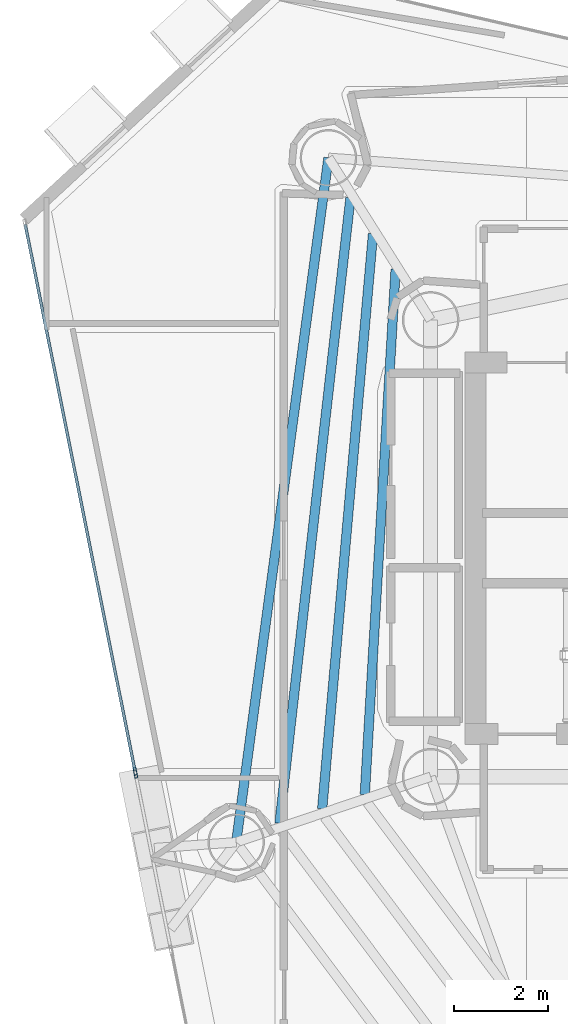
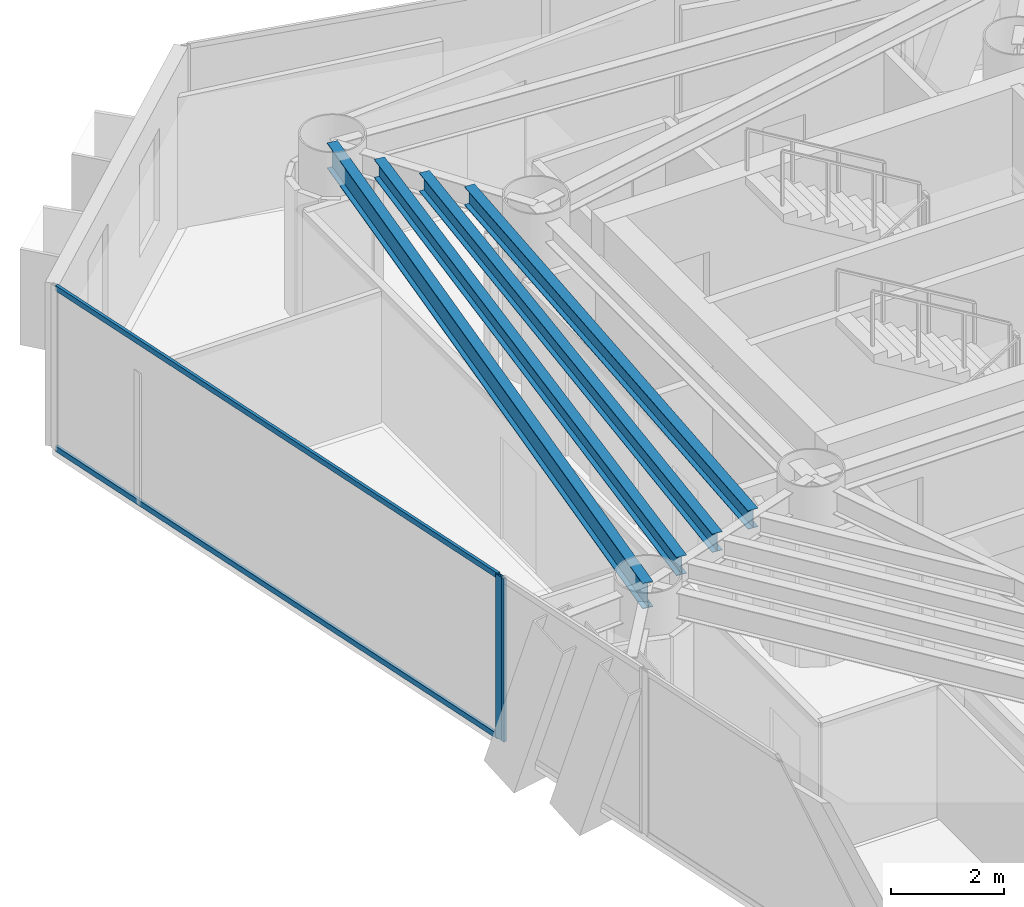
# One storey, part 8 of 22: 4 beams, 4 members, 2 elements without a shape of their own.
"""IFC4 building model written with IfcOpenShell, lengths in metres."""

from ifc_helpers import new_model, si_unit, direction, frame, origin, origin_2d, place, context, subcontext, project, spatial, hollow_rectangle, i_section, extrude, material, layer, layer_set, material_profile, profile_set, type_object, element, aggregate, save


model = new_model("IFC4")

# Units and contexts
model_context = context("Model", 3, precision=1e-05, world=origin(), true_north=direction((0.0, 1.0)))
body_context = subcontext(model_context, "Body", "Model", "MODEL_VIEW")
ifc_project = project(units=[si_unit("LENGTHUNIT", "METRE"), si_unit("AREAUNIT", "SQUARE_METRE"), si_unit("VOLUMEUNIT", "CUBIC_METRE"), si_unit("PLANEANGLEUNIT", "RADIAN"), si_unit("MASSUNIT", "GRAM", prefix="KILO")], contexts=[model_context])

# Site, building, storey
site_placement = place(None, origin())
site = spatial("IfcSite", under=ifc_project, at=site_placement, CompositionType="ELEMENT")
building_placement = place(site_placement, origin())
building = spatial("IfcBuilding", under=site, at=building_placement, Name="Qianvela Tower", CompositionType="ELEMENT")
storey_placement = place(building_placement, frame((0.0, 0.0, 200.300048828125)))
storey = spatial("IfcBuildingStorey", under=building, at=storey_placement, Name="L51", CompositionType="ELEMENT", Elevation=200.300048828125)

# Beams
ifc_material_1 = material(Name="Steel Q355B", Category="steel")
ifc_material_profile_1 = material_profile(ifc_material_1, i_section(OverallWidth=0.199951171875, OverallDepth=0.39990234375, WebThickness=0.008056640625, FlangeThickness=0.012939453125, at=origin_2d()), Name="HN400x200x8x13")
ifc_profile_set_1 = profile_set([ifc_material_profile_1], Name="Steel Q355B")
beam_type_1 = type_object("IfcBeamType", Name="BM-HN400-JOIST", PredefinedType="JOIST", material=ifc_profile_set_1)
beam_1_placement = place(storey_placement, frame((27.85693359375, 34.62451171875, 3.31787109375), z_axis=(-0.05861696358, -0.998280547532, 0.0), x_axis=(0.998280547532, -0.05861696358, 0.0)))
element("IfcBeam", 1, at=beam_1_placement, inside=storey, type_object=beam_type_1, Name="L51 Secondary Composite Floor Joist 3.1", PredefinedType="JOIST", context=body_context, shape_type="SweptSolid", body=[
    extrude(i_section(OverallWidth=0.199951171875, OverallDepth=0.39990234375, WebThickness=0.008056640625, FlangeThickness=0.012939453125, at=origin_2d()), origin(), (0.0, 0.0, 1.0), 11.170654296875),
])
beam_2_placement = place(storey_placement, frame((27.376953125, 35.3818359375, 3.31787109375), z_axis=(-0.088081491788, -0.996113272075, 0.0), x_axis=(0.996113272075, -0.088081491788, 0.0)))
element("IfcBeam", 2, at=beam_2_placement, inside=storey, type_object=beam_type_1, Name="L51 Secondary Composite Floor Joist 3.2", PredefinedType="JOIST", context=body_context, shape_type="SweptSolid", body=[
    extrude(i_section(OverallWidth=0.199951171875, OverallDepth=0.39990234375, WebThickness=0.008056640625, FlangeThickness=0.012939453125, at=origin_2d()), origin(), (0.0, 0.0, 1.0), 12.26220703125),
])
beam_3_placement = place(storey_placement, frame((26.8974609375, 36.139404296875, 3.31787109375), z_axis=(-0.112721124494, -0.993626664343, 0.0), x_axis=(0.993626664343, -0.112721124494, 0.0)))
element("IfcBeam", 3, at=beam_3_placement, inside=storey, type_object=beam_type_1, Name="L51 Secondary Composite Floor Joist 3.3", PredefinedType="JOIST", context=body_context, shape_type="SweptSolid", body=[
    extrude(i_section(OverallWidth=0.199951171875, OverallDepth=0.39990234375, WebThickness=0.008056640625, FlangeThickness=0.012939453125, at=origin_2d()), origin(), (0.0, 0.0, 1.0), 13.363525390625),
])
ifc_material_2 = material(Name="Steel Q355B", Category="steel")
ifc_material_profile_2 = material_profile(ifc_material_2, i_section(OverallWidth=0.199951171875, OverallDepth=0.550048828125, WebThickness=0.010009765625, FlangeThickness=0.01611328125, at=origin_2d()), Name="HN550x200x10x16")
ifc_profile_set_2 = profile_set([ifc_material_profile_2], Name="Steel Q355B")
beam_type_2 = type_object("IfcBeamType", Name="BM-HN550-GIRD", PredefinedType="BEAM", material=ifc_profile_set_2)
beam_4_placement = place(storey_placement, frame((26.430908203125, 36.991943359375, 3.242919921875), z_axis=(-0.133596613255, -0.991035793968, 0.0), x_axis=(0.991035793968, -0.133596613255, 0.0)))
element("IfcBeam", 4, at=beam_4_placement, inside=storey, type_object=beam_type_2, Name="L51 Perimeter Ring Spandrel Girder 3", PredefinedType="BEAM", context=body_context, shape_type="SweptSolid", body=[
    extrude(i_section(OverallWidth=0.199951171875, OverallDepth=0.550048828125, WebThickness=0.010009765625, FlangeThickness=0.01611328125, at=origin_2d()), origin(), (0.0, 0.0, 1.0), 14.663330078125),
])

# Curtain wall, member
ifc_material_3 = material(Name="Anodised Architectural Aluminium and Insulated Spandrel Panel", Category="aluminium")
ifc_layer_1 = layer(ifc_material_3, 0.179931640625)
ifc_layer_set_1 = layer_set([ifc_layer_1], Name="Anodised Architectural Aluminium and Insulated Spandrel Panel")
curtain_wall_type_1 = type_object("IfcCurtainWallType", Name="CW-BRACEBAY", PredefinedType="USERDEFINED", material=ifc_layer_set_1)
curtain_wall_1_placement = place(storey_placement, origin())
curtain_wall_1 = element("IfcCurtainWall", 5, at=curtain_wall_1_placement, inside=storey, type_object=curtain_wall_type_1, Name="L51 CW-BRACEBAY Curtain Wall 04B", ObjectType="CURTAIN_WALL_SYSTEM", PredefinedType="USERDEFINED")
ifc_material_4 = material(Name="Anodised Architectural Aluminium 6063-T6", Category="aluminium")
ifc_material_profile_3 = material_profile(ifc_material_4, hollow_rectangle(XDim=0.06494140625, YDim=0.159912109375, WallThickness=0.0048828125, at=origin_2d()), Name="ALU-MULL-65x160")
ifc_profile_set_3 = profile_set([ifc_material_profile_3], Name="Anodised Architectural Aluminium 6063-T6")
member_type_1 = type_object("IfcMemberType", Name="CW-BRACEBAY-MULL", PredefinedType="MULLION", material=ifc_profile_set_3)
member_1_placement = place(storey_placement, frame((22.338134765625, 23.9013671875, 0.0), z_axis=(0.0, 0.0, 1.0), x_axis=(0.980406465968, 0.196985180883, 0.0)))
member_1 = element("IfcMember", 6, at=member_1_placement, type_object=member_type_1, Name="CW-9 mullion 1", PredefinedType="MULLION", context=body_context, shape_type="SweptSolid", body=[
    extrude(hollow_rectangle(XDim=0.06494140625, YDim=0.159912109375, WallThickness=0.0048828125, at=origin_2d()), origin(), (0.0, 0.0, 1.0), 3.52001953125),
])
aggregate(curtain_wall_1, [member_1])

# Curtain wall, members
ifc_material_5 = material(Name="Anodised Architectural Aluminium and Low-E Glass", Category="aluminium")
ifc_layer_2 = layer(ifc_material_5, 0.159912109375)
ifc_layer_set_2 = layer_set([ifc_layer_2], Name="Anodised Architectural Aluminium and Low-E Glass")
curtain_wall_type_2 = type_object("IfcCurtainWallType", Name="CW-COLIV-Z56", PredefinedType="USERDEFINED", material=ifc_layer_set_2)
curtain_wall_2_placement = place(storey_placement, origin())
curtain_wall_2 = element("IfcCurtainWall", 7, at=curtain_wall_2_placement, inside=storey, type_object=curtain_wall_type_2, Name="L51 CW-COLIV-Z56 Curtain Wall 04A", ObjectType="CURTAIN_WALL_SYSTEM", PredefinedType="USERDEFINED")
ifc_material_6 = material(Name="Anodised Architectural Aluminium 6063-T6", Category="aluminium")
ifc_material_profile_4 = material_profile(ifc_material_6, hollow_rectangle(XDim=0.06494140625, YDim=0.159912109375, WallThickness=0.0048828125, at=origin_2d()), Name="ALU-MULL-65x160")
ifc_profile_set_4 = profile_set([ifc_material_profile_4], Name="Anodised Architectural Aluminium 6063-T6")
member_type_2 = type_object("IfcMemberType", Name="CW-COLIV-Z56-MULL", PredefinedType="MULLION", material=ifc_profile_set_4)
member_2_placement = place(storey_placement, frame((22.3251953125, 23.965087890625, 0.0), z_axis=(0.0, 0.0, 1.0), x_axis=(0.980408284959, 0.196976127446, 0.0)))
member_2 = element("IfcMember", 8, at=member_2_placement, type_object=member_type_2, Name="CW-5 mullion 2", PredefinedType="MULLION", context=body_context, shape_type="SweptSolid", body=[
    extrude(hollow_rectangle(XDim=0.06494140625, YDim=0.159912109375, WallThickness=0.0048828125, at=origin_2d()), origin(), (0.0, 0.0, 1.0), 3.52001953125),
])
ifc_material_7 = material(Name="Anodised Architectural Aluminium 6063-T6", Category="aluminium")
ifc_material_profile_5 = material_profile(ifc_material_7, hollow_rectangle(XDim=0.06005859375, YDim=0.114990234375, WallThickness=0.00390625, at=origin_2d()), Name="ALU-TRAN-60x115")
ifc_profile_set_5 = profile_set([ifc_material_profile_5], Name="Anodised Architectural Aluminium 6063-T6")
member_type_3 = type_object("IfcMemberType", Name="CW-COLIV-Z56-TRAN", PredefinedType="USERDEFINED", material=ifc_profile_set_5)
member_3_placement = place(storey_placement, frame((19.99267578125, 35.57568359375, 0.030029296875), z_axis=(0.19696681089, -0.980410156724, 0.0), x_axis=(0.980410156724, 0.19696681089, 0.0)))
member_3 = element("IfcMember", 9, at=member_3_placement, type_object=member_type_3, Name="CW-5 transom 1.1", ObjectType="TRANSOM", PredefinedType="USERDEFINED", context=body_context, shape_type="SweptSolid", body=[
    extrude(hollow_rectangle(XDim=0.06005859375, YDim=0.114990234375, WallThickness=0.00390625, at=origin_2d()), origin(), (0.0, 0.0, 1.0), 11.81005859375),
])
member_4_placement = place(storey_placement, frame((19.99267578125, 35.57568359375, 3.489990234375), z_axis=(0.19696681089, -0.980410156724, 0.0), x_axis=(0.980410156724, 0.19696681089, 0.0)))
member_4 = element("IfcMember", 10, at=member_4_placement, type_object=member_type_3, Name="CW-5 transom 1.2", ObjectType="TRANSOM", PredefinedType="USERDEFINED", context=body_context, shape_type="SweptSolid", body=[
    extrude(hollow_rectangle(XDim=0.06005859375, YDim=0.114990234375, WallThickness=0.00390625, at=origin_2d()), origin(), (0.0, 0.0, 1.0), 11.81005859375),
])
aggregate(curtain_wall_2, [member_2, member_3, member_4])

save(model, "model.ifc")
